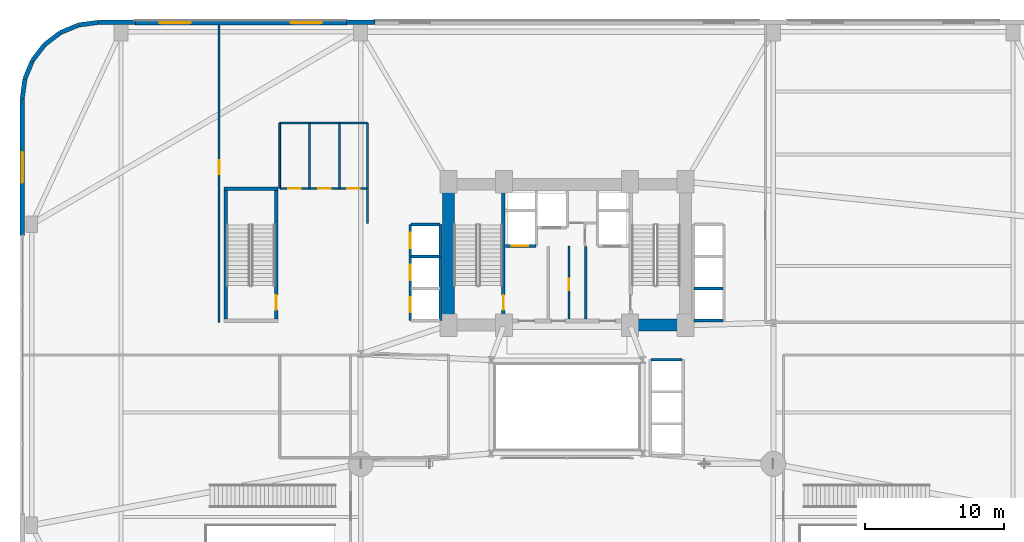
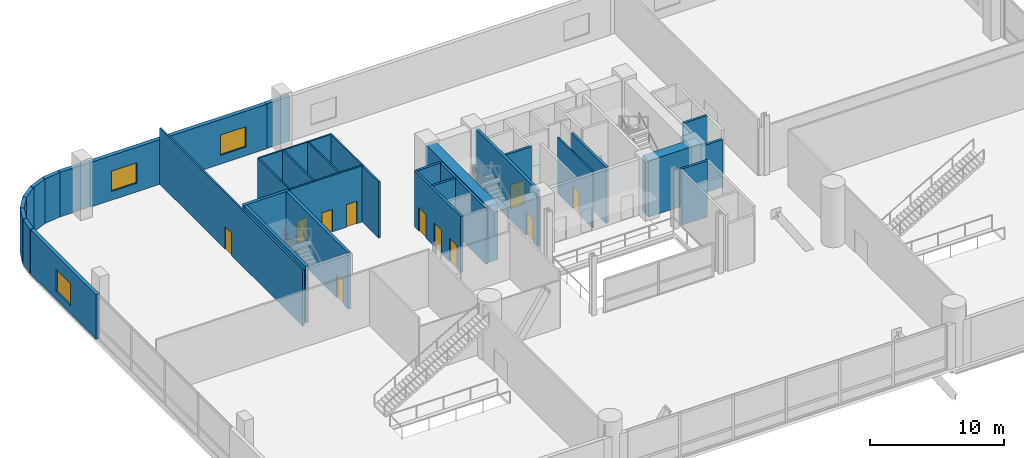
# One storey, part 31 of 40: 34 walls, 11 doors, 3 windows, 14 openings.
"""IFC4 building model written with IfcOpenShell, lengths in metres."""

import ifcopenshell
import ifcopenshell.guid

model = None  # the IFC model being written
_history = None  # IfcOwnerHistory: only IFC2X3 demands one
_inside = {}  # id of a spatial element -> (the spatial element, [elements in it])
_under = {}  # id of a project, library or spatial element -> (it, [spatial elements below it])
_declared = {}  # id of a project -> (the project, [libraries it declares])
_typed = {}  # id of a type object -> (the type object, [elements of that type])
_made_of = {}  # id of a material, layer set ... -> (it, [elements and type objects made of it])


def new_model(schema):
    """Start an empty IFC model of exactly this schema.

    Asked for "IFC4X3", IfcOpenShell would pick the latest addendum, in which some entities
    have other attributes; the version numbers below select the first issue.
    IFC2X3 requires an IfcOwnerHistory on every rooted entity: one is made here for all.
    """
    global model, _history
    if schema == "IFC4X3":
        model = ifcopenshell.file(schema_version=(4, 3, 0, 0))
    else:
        model = ifcopenshell.file(schema=schema)
    _inside.clear()
    _under.clear()
    _declared.clear()
    _typed.clear()
    _made_of.clear()
    _history = None
    if model.schema == "IFC2X3":
        org = make("IfcOrganization", Name="unknown")
        user = make(
            "IfcPersonAndOrganization",
            ThePerson=make("IfcPerson", FamilyName="unknown"),
            TheOrganization=org,
        )
        app = make(
            "IfcApplication",
            ApplicationDeveloper=org,
            Version="unknown",
            ApplicationFullName="unknown",
            ApplicationIdentifier="unknown",
        )
        _history = make(
            "IfcOwnerHistory",
            OwningUser=user,
            OwningApplication=app,
            ChangeAction="ADDED",
            CreationDate=0,
        )
    return model


def make(cls, **values):
    """One entity of the class cls with the attributes given. An attribute that is None is left unset."""
    return model.create_entity(
        cls, **{name: value for name, value in values.items() if value is not None}
    )


def rooted(cls, **values):
    """An entity with a GlobalId (a new one), such as an element, a storey or a relation."""
    return make(cls, GlobalId=ifcopenshell.guid.new(), OwnerHistory=_history, **values)


def si_unit(unit_type, name, prefix=None):
    """IfcSIUnit, for example si_unit("LENGTHUNIT", "METRE", prefix="MILLI")."""
    return make("IfcSIUnit", UnitType=unit_type, Prefix=prefix, Name=name)


def assignment(units):
    """IfcUnitAssignment: the units of a project."""
    return None if units is None else make("IfcUnitAssignment", Units=units)


def point(xyz):
    """IfcCartesianPoint."""
    return None if xyz is None else make("IfcCartesianPoint", Coordinates=xyz)


def direction(xyz):
    """IfcDirection."""
    return None if xyz is None else make("IfcDirection", DirectionRatios=xyz)


def frame(location, z_axis=None, x_axis=None):
    """IfcAxis2Placement3D, a coordinate frame: its origin and axes. An axis left out is left unset."""
    return make(
        "IfcAxis2Placement3D",
        Location=point(location),
        Axis=direction(z_axis),
        RefDirection=direction(x_axis),
    )


def frame_2d(location, x_axis=None):
    """IfcAxis2Placement2D, a coordinate frame in the plane: its origin and x axis."""
    return make(
        "IfcAxis2Placement2D", Location=point(location), RefDirection=direction(x_axis)
    )


def origin():
    """The frame at (0, 0, 0) with its axes left unset."""
    return frame((0.0, 0.0, 0.0))


def place(relative_to, where):
    """IfcLocalPlacement: puts the frame where relative to a parent placement (None: the world)."""
    return make(
        "IfcLocalPlacement", PlacementRelTo=relative_to, RelativePlacement=where
    )


def context(
    kind, dimensions, precision=None, world=None, true_north=None, identifier=None
):
    """IfcGeometricRepresentationContext, for example the 3D "Model" context."""
    return make(
        "IfcGeometricRepresentationContext",
        ContextIdentifier=identifier,
        ContextType=kind,
        CoordinateSpaceDimension=dimensions,
        Precision=precision,
        WorldCoordinateSystem=world,
        TrueNorth=true_north,
    )


def subcontext(parent, identifier, kind, view, scale=None):
    """IfcGeometricRepresentationSubContext, for example "Body" below "Model"."""
    return make(
        "IfcGeometricRepresentationSubContext",
        ContextIdentifier=identifier,
        ContextType=kind,
        ParentContext=parent,
        TargetScale=scale,
        TargetView=view,
    )


def project(units=None, contexts=None):
    """IfcProject with its units and contexts."""
    return rooted(
        "IfcProject",
        Name="project",
        RepresentationContexts=contexts,
        UnitsInContext=assignment(units),
    )


def spatial(cls, under=None, at=None, **own):
    """A site, building, storey or space (cls), placed at a placement, below another one or the project."""
    s = rooted(cls, ObjectPlacement=at, **own)
    if under is not None:
        _under.setdefault(under.id(), (under, []))[1].append(s)
    return s


def profile(cls, at=None, kind="AREA", **sizes):
    """A parametric profile (cls). Its sizes go by their IFC names, for example OverallWidth=200.0."""
    return make(cls, ProfileType=kind, Position=at, **sizes)


def rectangle(**sizes):
    """IfcRectangleProfileDef."""
    return profile("IfcRectangleProfileDef", **sizes)


def extrude(swept, where, along, depth):
    """IfcExtrudedAreaSolid: the profile swept, set in the frame where, extruded along a direction by depth."""
    return make(
        "IfcExtrudedAreaSolid",
        SweptArea=swept,
        Position=where,
        ExtrudedDirection=direction(along),
        Depth=depth,
    )


def shape(context_of_items, identifier, shape_type, items):
    """IfcShapeRepresentation: the items that make up one representation, for example the "Body"."""
    return make(
        "IfcShapeRepresentation",
        ContextOfItems=context_of_items,
        RepresentationIdentifier=identifier,
        RepresentationType=shape_type,
        Items=items,
    )


def material(Name=None, Category=None):
    """IfcMaterial."""
    return make("IfcMaterial", Name=Name, Category=Category)


def layer(
    of_material, thickness, ventilated=None, Name=None, Category=None, Priority=None
):
    """IfcMaterialLayer: one layer of a wall or slab, of a material (None: an air gap)."""
    return make(
        "IfcMaterialLayer",
        Material=of_material,
        LayerThickness=thickness,
        IsVentilated=ventilated,
        Name=Name,
        Category=Category,
        Priority=Priority,
    )


def layer_set(layers, Name=None):
    """IfcMaterialLayerSet."""
    return make("IfcMaterialLayerSet", MaterialLayers=layers, LayerSetName=Name)


def made_of(thing, what):
    """Note that an element or type object is made of a material, layer set ...; save() writes the relation."""
    if what is not None:
        _made_of.setdefault(what.id(), (what, []))[1].append(thing)
    return thing


def type_object(cls, material=None, **own):
    """A type object (cls), such as IfcWallType, which elements share."""
    return made_of(rooted(cls, **own), material)


def element(
    cls,
    number,
    at=None,
    inside=None,
    cuts=None,
    type_object=None,
    material=None,
    context=None,
    identifier="Body",
    shape_type=None,
    held_by="IfcProductDefinitionShape",
    body=None,
    shapes=None,
    **own,
):
    """One element of the class cls, such as IfcWall. Its Tag is "e" and its number.

    at: its placement. inside: the storey or other place that contains it. cuts: it is an
    opening in that element (IfcRelVoidsElement). A single representation is given by context,
    identifier, shape_type and body (its items); several are given by shapes. held_by: the class
    of the entity that holds the representations. save() writes the other relations.
    """
    e = rooted(cls, Tag="e%d" % number, ObjectPlacement=at, **own)
    if body is not None:
        shapes = [shape(context, identifier, shape_type, body)]
    if shapes is not None:
        e.Representation = make(held_by, Representations=shapes)
    if inside is not None:
        _inside.setdefault(inside.id(), (inside, []))[1].append(e)
    if cuts is not None:
        rooted(
            "IfcRelVoidsElement", RelatingBuildingElement=cuts, RelatedOpeningElement=e
        )
    if type_object is not None:
        _typed.setdefault(type_object.id(), (type_object, []))[1].append(e)
    return made_of(e, material)


def fill(opening, filler):
    """IfcRelFillsElement: the door or window that sits in an opening."""
    return rooted(
        "IfcRelFillsElement",
        RelatingOpeningElement=opening,
        RelatedBuildingElement=filler,
    )


def aggregate(whole, parts):
    """IfcRelAggregates: a whole, such as a stair, and the parts it consists of."""
    return rooted("IfcRelAggregates", RelatingObject=whole, RelatedObjects=parts)


def save(model, path):
    """Write the relations noted so far, then the file.

    IfcRelAggregates (storeys below a building ...), IfcRelContainedInSpatialStructure (elements
    in a storey), IfcRelDefinesByType, IfcRelAssociatesMaterial and IfcRelDeclares: one each for
    every whole, place, type object, material and project.
    """
    for whole, parts in _under.values():
        aggregate(whole, parts)
    for where, things in _inside.values():
        rooted(
            "IfcRelContainedInSpatialStructure",
            RelatedElements=things,
            RelatingStructure=where,
        )
    for kind, things in _typed.values():
        rooted("IfcRelDefinesByType", RelatedObjects=things, RelatingType=kind)
    for what, things in _made_of.values():
        rooted("IfcRelAssociatesMaterial", RelatedObjects=things, RelatingMaterial=what)
    for by, libraries in _declared.values():
        rooted("IfcRelDeclares", RelatingContext=by, RelatedDefinitions=libraries)
    model.write(path)


model = new_model("IFC4")

# Units and contexts
model_context = context("Model", 3, precision=1e-05, world=origin(), true_north=direction((0.0, 1.0)))
body_context = subcontext(model_context, "Body", "Model", "MODEL_VIEW")
ifc_project = project(units=[si_unit("LENGTHUNIT", "METRE"), si_unit("AREAUNIT", "SQUARE_METRE"), si_unit("VOLUMEUNIT", "CUBIC_METRE"), si_unit("PLANEANGLEUNIT", "RADIAN"), si_unit("MASSUNIT", "GRAM", prefix="KILO")], contexts=[model_context])

# Site, building, storey
site_placement = place(None, origin())
site = spatial("IfcSite", under=ifc_project, at=site_placement, CompositionType="ELEMENT")
building_placement = place(site_placement, origin())
building = spatial("IfcBuilding", under=site, at=building_placement, Name="Varnelok Gate Tower", CompositionType="ELEMENT")
storey_placement = place(building_placement, frame((0.0, 0.0, 5.39990234375)))
storey = spatial("IfcBuildingStorey", under=building, at=storey_placement, Name="L01", CompositionType="ELEMENT", Elevation=5.39990234375)

# Wall, openings, windows
ifc_material_1 = material(Name="Concrete C45/55", Category="concrete")
ifc_layer_1 = layer(ifc_material_1, 0.320068359375)
ifc_layer_set_1 = layer_set([ifc_layer_1], Name="Concrete C45/55")
wall_type_1 = type_object("IfcWallType", Name="EW-POD-320", PredefinedType="SOLIDWALL", material=ifc_layer_set_1)
wall_1_placement = place(storey_placement, frame((8.199951171875, 50.43994140625, 0.0), z_axis=(0.0, 0.0, 1.0), x_axis=(1.0, 0.0, 0.0)))
wall_1 = element("IfcWall", 1, at=wall_1_placement, inside=storey, type_object=wall_type_1, Name="L01 North Podium Wall 1", PredefinedType="SOLIDWALL", context=body_context, shape_type="SweptSolid", body=[
    extrude(rectangle(XDim=15.199951171875, YDim=0.320068359375, at=frame_2d((7.60009765625, 0.0))), origin(), (0.0, 0.0, 1.0), 4.070068359375),
])
opening_1_placement = place(wall_1_placement, frame((1.800048828125, 0.0, 0.800048828125)))
opening_1 = element("IfcOpeningElement", 2, at=opening_1_placement, cuts=wall_1, Name="Opening WN2", PredefinedType="OPENING", context=body_context, shape_type="SweptSolid", body=[
    extrude(rectangle(XDim=2.199951171875, YDim=1.85009765625, at=frame_2d((1.10009765625, 0.925048828125))), frame((0.0, 0.169921875, 0.0), z_axis=(0.0, -1.0, 0.0), x_axis=(1.0, 0.0, 0.0)), (0.0, 0.0, 1.0), 0.340087890625),
])
opening_2_placement = place(wall_1_placement, frame((11.199951171875, 0.0, 0.800048828125)))
opening_2 = element("IfcOpeningElement", 3, at=opening_2_placement, cuts=wall_1, Name="Opening WN2", PredefinedType="OPENING", context=body_context, shape_type="SweptSolid", body=[
    extrude(rectangle(XDim=2.199951171875, YDim=1.85009765625, at=frame_2d((1.10009765625, 0.925048828125))), frame((0.0, 0.169921875, 0.0), z_axis=(0.0, -1.0, 0.0), x_axis=(1.0, 0.0, 0.0)), (0.0, 0.0, 1.0), 0.340087890625),
])
ifc_material_2 = material(Name="Low-E Laminated Double Glazing IGU", Category="glass")
window_type_1 = type_object("IfcWindowType", Name="WN-POD-2200", PartitioningType="SINGLE_PANEL", PredefinedType="WINDOW", material=ifc_material_2)
window_1_placement = place(opening_1_placement, origin())
window_1 = element("IfcWindow", 4, at=window_1_placement, inside=storey, type_object=window_type_1, Name="L01 Podium Window N1.1", OverallHeight=1.85009765625, OverallWidth=2.199951171875, PartitioningType="SINGLE_PANEL", PredefinedType="WINDOW", context=body_context, shape_type="SweptSolid", body=[
    extrude(rectangle(XDim=2.199951171875, YDim=1.85009765625, at=frame_2d((1.10009765625, 0.925048828125))), frame((0.0, 0.030029296875, 0.0), z_axis=(0.0, -1.0, 0.0), x_axis=(1.0, 0.0, 0.0)), (0.0, 0.0, 1.0), 0.06005859375),
])
fill(opening_1, window_1)
window_2_placement = place(opening_2_placement, origin())
window_2 = element("IfcWindow", 5, at=window_2_placement, inside=storey, type_object=window_type_1, Name="L01 Podium Window N1.2", OverallHeight=1.85009765625, OverallWidth=2.199951171875, PartitioningType="SINGLE_PANEL", PredefinedType="WINDOW", context=body_context, shape_type="SweptSolid", body=[
    extrude(rectangle(XDim=2.199951171875, YDim=1.85009765625, at=frame_2d((1.10009765625, 0.925048828125))), frame((0.0, 0.030029296875, 0.0), z_axis=(0.0, -1.0, 0.0), x_axis=(1.0, 0.0, 0.0)), (0.0, 0.0, 1.0), 0.06005859375),
])
fill(opening_2, window_2)

# Walls
wall_2_placement = place(storey_placement, frame((25.429931640625, 50.47998046875, 0.0), z_axis=(0.0, 0.0, 1.0), x_axis=(-1.0, 0.0, 0.0)))
element("IfcWall", 6, at=wall_2_placement, inside=storey, type_object=wall_type_1, Name="L01 Perimeter Facade Closure Wall 27", PredefinedType="SOLIDWALL", context=body_context, shape_type="SweptSolid", body=[
    extrude(rectangle(XDim=2.059814453125, YDim=0.320068359375, at=frame_2d((1.02978515625, 0.0))), origin(), (0.0, 0.0, 1.0), 4.070068359375),
])
wall_3_placement = place(storey_placement, frame((8.22998046875, 50.47998046875, 0.0), z_axis=(0.0, 0.0, 1.0), x_axis=(-1.0, 0.0, 0.0)))
element("IfcWall", 7, at=wall_3_placement, inside=storey, type_object=wall_type_1, Name="L01 Perimeter Facade Closure Wall 28", PredefinedType="SOLIDWALL", context=body_context, shape_type="SweptSolid", body=[
    extrude(rectangle(XDim=2.6220703125, YDim=0.320068359375, at=frame_2d((1.31103515625, 0.0))), origin(), (0.0, 0.0, 1.0), 4.070068359375),
])
wall_4_placement = place(storey_placement, frame((5.5830078125, 50.476806640625, 0.0), z_axis=(0.0, 0.0, 1.0), x_axis=(-0.991434880626, -0.130601981138, 0.0)))
element("IfcWall", 8, at=wall_4_placement, inside=storey, type_object=wall_type_1, Name="L01 Perimeter Facade Closure Wall 29", PredefinedType="SOLIDWALL", context=body_context, shape_type="SweptSolid", body=[
    extrude(rectangle(XDim=1.413330078125, YDim=0.320068359375, at=frame_2d((0.70654296875, 0.0))), origin(), (0.0, 0.0, 1.0), 4.070068359375),
])
wall_5_placement = place(storey_placement, frame((4.15869140625, 50.28271484375, 0.0), z_axis=(0.0, 0.0, 1.0), x_axis=(-0.923841042178, -0.382776343035, 0.0)))
element("IfcWall", 9, at=wall_5_placement, inside=storey, type_object=wall_type_1, Name="L01 Perimeter Facade Closure Wall 30", PredefinedType="SOLIDWALL", context=body_context, shape_type="SweptSolid", body=[
    extrude(rectangle(XDim=1.405029296875, YDim=0.320068359375, at=frame_2d((0.70263671875, 0.0))), origin(), (0.0, 0.0, 1.0), 4.070068359375),
])
wall_6_placement = place(storey_placement, frame((2.8408203125, 49.729736328125, 0.0), z_axis=(0.0, 0.0, 1.0), x_axis=(-0.79338541907, -0.60871962085, 0.0)))
element("IfcWall", 10, at=wall_6_placement, inside=storey, type_object=wall_type_1, Name="L01 Perimeter Facade Closure Wall 31", PredefinedType="SOLIDWALL", context=body_context, shape_type="SweptSolid", body=[
    extrude(rectangle(XDim=1.4052734375, YDim=0.320068359375, at=frame_2d((0.70263671875, 0.0))), origin(), (0.0, 0.0, 1.0), 4.070068359375),
])
wall_7_placement = place(storey_placement, frame((1.710693359375, 48.8544921875, 0.0), z_axis=(0.0, 0.0, 1.0), x_axis=(-0.608828954222, -0.793301521807, 0.0)))
element("IfcWall", 11, at=wall_7_placement, inside=storey, type_object=wall_type_1, Name="L01 Perimeter Facade Closure Wall 32", PredefinedType="SOLIDWALL", context=body_context, shape_type="SweptSolid", body=[
    extrude(rectangle(XDim=1.405517578125, YDim=0.320068359375, at=frame_2d((0.70263671875, 0.0))), origin(), (0.0, 0.0, 1.0), 4.070068359375),
])
wall_8_placement = place(storey_placement, frame((0.845703125, 47.71630859375, 0.0), z_axis=(0.0, 0.0, 1.0), x_axis=(-0.382924622758, -0.923779591291, 0.0)))
element("IfcWall", 12, at=wall_8_placement, inside=storey, type_object=wall_type_1, Name="L01 Perimeter Facade Closure Wall 33", PredefinedType="SOLIDWALL", context=body_context, shape_type="SweptSolid", body=[
    extrude(rectangle(XDim=1.4052734375, YDim=0.320068359375, at=frame_2d((0.70263671875, 0.0))), origin(), (0.0, 0.0, 1.0), 4.070068359375),
])
wall_9_placement = place(storey_placement, frame((0.304443359375, 46.393310546875, 0.0), z_axis=(0.0, 0.0, 1.0), x_axis=(-0.130432168094, -0.991457235349, 0.0)))
element("IfcWall", 13, at=wall_9_placement, inside=storey, type_object=wall_type_1, Name="L01 Perimeter Facade Closure Wall 34", PredefinedType="SOLIDWALL", context=body_context, shape_type="SweptSolid", body=[
    extrude(rectangle(XDim=1.4130859375, YDim=0.320068359375, at=frame_2d((0.70654296875, 0.0))), origin(), (0.0, 0.0, 1.0), 4.070068359375),
])

# Wall, opening, window
wall_10_placement = place(storey_placement, frame((0.1201171875, 44.967041015625, 0.0), z_axis=(0.0, 0.0, 1.0), x_axis=(0.0, -1.0, 0.0)))
wall_10 = element("IfcWall", 14, at=wall_10_placement, inside=storey, type_object=wall_type_1, Name="L01 Perimeter Facade Closure Wall 35", PredefinedType="SOLIDWALL", context=body_context, shape_type="SweptSolid", body=[
    extrude(rectangle(XDim=9.797119140625, YDim=0.320068359375, at=frame_2d((4.8984375, 0.0))), origin(), (0.0, 0.0, 1.0), 4.070068359375),
])
opening_3_placement = place(wall_10_placement, frame((3.798583984375, 0.0, 0.800048828125)))
opening_3 = element("IfcOpeningElement", 15, at=opening_3_placement, cuts=wall_10, Name="Opening WN2A", PredefinedType="OPENING", context=body_context, shape_type="SweptSolid", body=[
    extrude(rectangle(XDim=2.199951171875, YDim=2.0, at=frame_2d((1.10009765625, 1.0))), frame((0.0, 0.169921875, 0.0), z_axis=(0.0, -1.0, 0.0), x_axis=(1.0, 0.0, 0.0)), (0.0, 0.0, 1.0), 0.340087890625),
])
window_type_2 = type_object("IfcWindowType", Name="WN-POD-2200X2000", PartitioningType="SINGLE_PANEL", PredefinedType="WINDOW", material=ifc_material_2)
window_3_placement = place(opening_3_placement, origin())
window_3 = element("IfcWindow", 16, at=window_3_placement, inside=storey, type_object=window_type_2, Name="L01 Perimeter Vision Window 35", OverallHeight=2.0, OverallWidth=2.199951171875, PartitioningType="SINGLE_PANEL", PredefinedType="WINDOW", context=body_context, shape_type="SweptSolid", body=[
    extrude(rectangle(XDim=2.199951171875, YDim=2.0, at=frame_2d((1.10009765625, 1.0))), frame((0.0, 0.030029296875, 0.0), z_axis=(0.0, -1.0, 0.0), x_axis=(1.0, 0.0, 0.0)), (0.0, 0.0, 1.0), 0.06005859375),
])
fill(opening_3, window_3)

# Walls
ifc_material_3 = material(Name="Gypsum Plasterboard Acoustic Partition", Category="gypsum")
ifc_layer_2 = layer(ifc_material_3, 0.125)
ifc_layer_set_2 = layer_set([ifc_layer_2], Name="Gypsum Plasterboard Acoustic Partition")
wall_type_2 = type_object("IfcWallType", Name="PW-PART-125", PredefinedType="PARTITIONING", material=ifc_layer_set_2)
for number, where, z_axis, x_axis, name in (
    (17, (18.60009765625, 38.56005859375, 0.0), (0.0, 0.0, 1.0), (0.0, 1.0, 0.0), "Interior Partition"),
    (18, (20.719970703125, 38.56005859375, 0.0), (0.0, 0.0, 1.0), (0.0, 1.0, 0.0), "Interior Partition"),
    (19, (22.8798828125, 38.56005859375, 0.0), (0.0, 0.0, 1.0), (0.0, 1.0, 0.0), "Interior Partition"),
    (20, (24.8798828125, 38.56005859375, 0.0), (0.0, 0.0, 1.0), (0.0, 1.0, 0.0), "Interior Partition"),
):
    element("IfcWall", number, at=place(storey_placement, frame(where, z_axis=z_axis, x_axis=x_axis)), inside=storey, type_object=wall_type_2, Name=name, PredefinedType="PARTITIONING", context=body_context, shape_type="SweptSolid", body=[
        extrude(rectangle(XDim=4.68994140625, YDim=0.125, at=frame_2d((2.344970703125, 0.0))), origin(), (0.0, 0.0, 1.0), 5.1201171875),
    ])
wall_11_placement = place(storey_placement, frame((18.60009765625, 43.25, 0.0), z_axis=(0.0, 0.0, 1.0), x_axis=(1.0, 0.0, 0.0)))
element("IfcWall", 21, at=wall_11_placement, inside=storey, type_object=wall_type_2, Name="Interior Partition", PredefinedType="PARTITIONING", context=body_context, shape_type="SweptSolid", body=[
    extrude(rectangle(XDim=6.27978515625, YDim=0.125, at=frame_2d((3.139892578125, 0.0))), origin(), (0.0, 0.0, 1.0), 5.1201171875),
])

# Wall, opening, door
wall_12_placement = place(storey_placement, frame((39.35009765625, 29.199951171875, 0.0), z_axis=(0.0, 0.0, 1.0), x_axis=(0.0, 1.0, 0.0)))
wall_12 = element("IfcWall", 22, at=wall_12_placement, inside=storey, type_object=wall_type_2, Name="Interior Partition", PredefinedType="PARTITIONING", context=body_context, shape_type="SweptSolid", body=[
    extrude(rectangle(XDim=5.219970703125, YDim=0.125, at=frame_2d((2.60986328125, 0.0))), origin(), (0.0, 0.0, 1.0), 5.1201171875),
])
opening_4_placement = place(wall_12_placement, frame((2.050048828125, 0.0, 0.0)))
opening_4 = element("IfcOpeningElement", 23, at=opening_4_placement, cuts=wall_12, Name="Opening D-RS", PredefinedType="OPENING", context=body_context, shape_type="SweptSolid", body=[
    extrude(rectangle(XDim=0.85009765625, YDim=2.050048828125, at=frame_2d((0.425048828125, 1.02490234375))), frame((0.0, 0.072509765625, 0.0), z_axis=(0.0, -1.0, 0.0), x_axis=(1.0, 0.0, 0.0)), (0.0, 0.0, 1.0), 0.14501953125),
])
ifc_material_4 = material(Name="Galvanized Steel Grade S350GD", Category="steel")
door_type_1 = type_object("IfcDoorType", Name="DR-RISER-850", OperationType="NOTDEFINED", PredefinedType="DOOR", material=ifc_material_4)
door_1_placement = place(opening_4_placement, origin())
door_1 = element("IfcDoor", 24, at=door_1_placement, inside=storey, type_object=door_type_1, Name="L01 Housekeeping Linen Door", OperationType="SINGLE_SWING_RIGHT", OverallHeight=2.050048828125, OverallWidth=0.85009765625, PredefinedType="DOOR", context=body_context, shape_type="SweptSolid", body=[
    extrude(rectangle(XDim=0.85009765625, YDim=2.050048828125, at=frame_2d((0.425048828125, 1.02490234375))), frame((0.0, 0.02490234375, 0.0), z_axis=(0.0, -1.0, 0.0), x_axis=(1.0, 0.0, 0.0)), (0.0, 0.0, 1.0), 0.050048828125),
])
fill(opening_4, door_1)

# Wall
ifc_layer_3 = layer(ifc_material_3, 0.14990234375)
ifc_layer_set_3 = layer_set([ifc_layer_3], Name="Gypsum Plasterboard Acoustic Partition")
wall_type_3 = type_object("IfcWallType", Name="PW-PART-150", PredefinedType="PARTITIONING", material=ifc_layer_set_3)
wall_13_placement = place(storey_placement, frame((24.8798828125, 36.050048828125, 0.0), z_axis=(0.0, 0.0, 1.0), x_axis=(0.0, 1.0, 0.0)))
element("IfcWall", 25, at=wall_13_placement, inside=storey, type_object=wall_type_3, Name="Interior Partition", PredefinedType="PARTITIONING", context=body_context, shape_type="SweptSolid", body=[
    extrude(rectangle(XDim=2.510009765625, YDim=0.14990234375, at=frame_2d((1.2548828125, 0.0))), origin(), (0.0, 0.0, 1.0), 5.1201171875),
])

# Wall, openings, doors
wall_14_placement = place(storey_placement, frame((18.60009765625, 38.56005859375, 0.0), z_axis=(0.0, 0.0, 1.0), x_axis=(1.0, 0.0, 0.0)))
wall_14 = element("IfcWall", 26, at=wall_14_placement, inside=storey, type_object=wall_type_3, Name="Interior Partition", PredefinedType="PARTITIONING", context=body_context, shape_type="SweptSolid", body=[
    extrude(rectangle(XDim=6.27978515625, YDim=0.14990234375, at=frame_2d((3.139892578125, 0.0))), origin(), (0.0, 0.0, 1.0), 5.1201171875),
])
opening_5_placement = place(wall_14_placement, frame((0.613525390625, 0.0, 0.0)))
opening_5 = element("IfcOpeningElement", 27, at=opening_5_placement, cuts=wall_14, Name="Opening D-WC", PredefinedType="OPENING", context=body_context, shape_type="SweptSolid", body=[
    extrude(rectangle(XDim=0.89990234375, YDim=2.050048828125, at=frame_2d((0.449951171875, 1.02490234375))), frame((0.0, 0.0849609375, 0.0), z_axis=(0.0, -1.0, 0.0), x_axis=(1.0, 0.0, 0.0)), (0.0, 0.0, 1.0), 0.169921875),
])
opening_6_placement = place(wall_14_placement, frame((2.75, 0.0, 0.0)))
opening_6 = element("IfcOpeningElement", 28, at=opening_6_placement, cuts=wall_14, Name="Opening D-WC", PredefinedType="OPENING", context=body_context, shape_type="SweptSolid", body=[
    extrude(rectangle(XDim=0.89990234375, YDim=2.050048828125, at=frame_2d((0.449951171875, 1.02490234375))), frame((0.0, 0.0849609375, 0.0), z_axis=(0.0, -1.0, 0.0), x_axis=(1.0, 0.0, 0.0)), (0.0, 0.0, 1.0), 0.169921875),
])
opening_7_placement = place(wall_14_placement, frame((4.83642578125, 0.0, 0.0)))
opening_7 = element("IfcOpeningElement", 29, at=opening_7_placement, cuts=wall_14, Name="Opening D-WC", PredefinedType="OPENING", context=body_context, shape_type="SweptSolid", body=[
    extrude(rectangle(XDim=0.89990234375, YDim=2.050048828125, at=frame_2d((0.449951171875, 1.02490234375))), frame((0.0, 0.0849609375, 0.0), z_axis=(0.0, -1.0, 0.0), x_axis=(1.0, 0.0, 0.0)), (0.0, 0.0, 1.0), 0.169921875),
])
ifc_material_5 = material(Name="Engineered Hardwood Timber", Category="wood")
door_type_2 = type_object("IfcDoorType", Name="DR-BATH-900", OperationType="NOTDEFINED", PredefinedType="DOOR", material=ifc_material_5)
door_2_placement = place(opening_5_placement, origin())
door_2 = element("IfcDoor", 30, at=door_2_placement, inside=storey, type_object=door_type_2, Name="L01 Male WC Door", OperationType="SINGLE_SWING_LEFT", OverallHeight=2.050048828125, OverallWidth=0.89990234375, PredefinedType="DOOR", context=body_context, shape_type="SweptSolid", body=[
    extrude(rectangle(XDim=0.89990234375, YDim=2.050048828125, at=frame_2d((0.449951171875, 1.02490234375))), frame((0.0, 0.02490234375, 0.0), z_axis=(0.0, -1.0, 0.0), x_axis=(1.0, 0.0, 0.0)), (0.0, 0.0, 1.0), 0.050048828125),
])
fill(opening_5, door_2)
door_3_placement = place(opening_6_placement, origin())
door_3 = element("IfcDoor", 31, at=door_3_placement, inside=storey, type_object=door_type_2, Name="L01 Female WC Door", OperationType="SINGLE_SWING_RIGHT", OverallHeight=2.050048828125, OverallWidth=0.89990234375, PredefinedType="DOOR", context=body_context, shape_type="SweptSolid", body=[
    extrude(rectangle(XDim=0.89990234375, YDim=2.050048828125, at=frame_2d((0.449951171875, 1.02490234375))), frame((0.0, 0.02490234375, 0.0), z_axis=(0.0, -1.0, 0.0), x_axis=(1.0, 0.0, 0.0)), (0.0, 0.0, 1.0), 0.050048828125),
])
fill(opening_6, door_3)
door_4_placement = place(opening_7_placement, origin())
door_4 = element("IfcDoor", 32, at=door_4_placement, inside=storey, type_object=door_type_2, Name="L01 Accessible WC Door", OperationType="SINGLE_SWING_LEFT", OverallHeight=2.050048828125, OverallWidth=0.89990234375, PredefinedType="DOOR", context=body_context, shape_type="SweptSolid", body=[
    extrude(rectangle(XDim=0.89990234375, YDim=2.050048828125, at=frame_2d((0.449951171875, 1.02490234375))), frame((0.0, 0.02490234375, 0.0), z_axis=(0.0, -1.0, 0.0), x_axis=(1.0, 0.0, 0.0)), (0.0, 0.0, 1.0), 0.050048828125),
])
fill(opening_7, door_4)

# Wall, opening, door
wall_15_placement = place(storey_placement, frame((14.25, 28.9599609375, 0.0), z_axis=(0.0, 0.0, 1.0), x_axis=(0.0, 1.0, 0.0)))
wall_15 = element("IfcWall", 33, at=wall_15_placement, inside=storey, type_object=wall_type_3, Name="Interior Partition", PredefinedType="PARTITIONING", context=body_context, shape_type="SweptSolid", body=[
    extrude(rectangle(XDim=21.340087890625, YDim=0.14990234375, at=frame_2d((10.669921875, 0.0))), origin(), (0.0, 0.0, 1.0), 5.1201171875),
])
opening_8_placement = place(wall_15_placement, frame((10.6201171875, 0.0, 0.0)))
opening_8 = element("IfcOpeningElement", 34, at=opening_8_placement, cuts=wall_15, Name="Opening D-I1", PredefinedType="OPENING", context=body_context, shape_type="SweptSolid", body=[
    extrude(rectangle(XDim=1.0, YDim=2.050048828125, at=frame_2d((0.5, 1.02490234375))), frame((0.0, 0.0849609375, 0.0), z_axis=(0.0, -1.0, 0.0), x_axis=(1.0, 0.0, 0.0)), (0.0, 0.0, 1.0), 0.169921875),
])
door_type_3 = type_object("IfcDoorType", Name="DR-INT-1000", OperationType="NOTDEFINED", PredefinedType="DOOR", material=ifc_material_5)
door_5_placement = place(opening_8_placement, origin())
door_5 = element("IfcDoor", 35, at=door_5_placement, inside=storey, type_object=door_type_3, Name="L01 North Retail Door", OperationType="SINGLE_SWING_RIGHT", OverallHeight=2.050048828125, OverallWidth=1.0, PredefinedType="DOOR", context=body_context, shape_type="SweptSolid", body=[
    extrude(rectangle(XDim=1.0, YDim=2.050048828125, at=frame_2d((0.5, 1.02490234375))), frame((0.0, 0.02490234375, 0.0), z_axis=(0.0, -1.0, 0.0), x_axis=(1.0, 0.0, 0.0)), (0.0, 0.0, 1.0), 0.050048828125),
])
fill(opening_8, door_5)

# Wall
ifc_material_6 = material(Name="Concrete C35/45", Category="concrete")
ifc_layer_4 = layer(ifc_material_6, 0.199951171875)
ifc_layer_set_4 = layer_set([ifc_layer_4], Name="Concrete C35/45")
wall_type_4 = type_object("IfcWallType", Name="PW-SHAFT-200", PredefinedType="PARTITIONING", material=ifc_layer_set_4)
wall_16_placement = place(storey_placement, frame((40.5400390625, 29.199951171875, 0.0), z_axis=(0.0, 0.0, 1.0), x_axis=(0.0, 1.0, 0.0)))
element("IfcWall", 36, at=wall_16_placement, inside=storey, type_object=wall_type_4, Name="L01 East FF Lobby Rated Wall", PredefinedType="PARTITIONING", context=body_context, shape_type="SweptSolid", body=[
    extrude(rectangle(XDim=5.179931640625, YDim=0.199951171875, at=frame_2d((2.58984375, 0.0))), origin(), (0.0, 0.0, 1.0), 5.1201171875),
])

# Wall, opening, door
wall_17_placement = place(storey_placement, frame((34.800048828125, 34.43994140625, 0.0), z_axis=(0.0, 0.0, 1.0), x_axis=(1.0, 0.0, 0.0)))
wall_17 = element("IfcWall", 37, at=wall_17_placement, inside=storey, type_object=wall_type_4, Name="L01 FF1 Shaft Front Wall", PredefinedType="PARTITIONING", context=body_context, shape_type="SweptSolid", body=[
    extrude(rectangle(XDim=2.179931640625, YDim=0.199951171875, at=frame_2d((1.08984375, 0.0))), origin(), (0.0, 0.0, 1.0), 5.1201171875),
])
opening_9_placement = place(wall_17_placement, frame((0.419921875, 0.0, 0.0)))
opening_9 = element("IfcOpeningElement", 38, at=opening_9_placement, cuts=wall_17, Name="Opening LD-FF1", PredefinedType="OPENING", context=body_context, shape_type="SweptSolid", body=[
    extrude(rectangle(XDim=1.199951171875, YDim=2.199951171875, at=frame_2d((0.60009765625, 1.10009765625))), frame((0.0, 0.10986328125, 0.0), z_axis=(0.0, -1.0, 0.0), x_axis=(1.0, 0.0, 0.0)), (0.0, 0.0, 1.0), 0.219970703125),
])
door_type_4 = type_object("IfcDoorType", Name="DR-LIFT-FF1200", OperationType="SLIDING_TO_LEFT", PredefinedType="DOOR", material=ifc_material_4)
door_6_placement = place(opening_9_placement, origin())
door_6 = element("IfcDoor", 39, at=door_6_placement, inside=storey, type_object=door_type_4, Name="L01 Firefighting Lift Landing Door LD-FF1", OperationType="SLIDING_TO_LEFT", OverallHeight=2.199951171875, OverallWidth=1.199951171875, PredefinedType="DOOR", context=body_context, shape_type="SweptSolid", body=[
    extrude(rectangle(XDim=1.199951171875, YDim=2.199951171875, at=frame_2d((0.60009765625, 1.10009765625))), frame((0.0, 0.02490234375, 0.0), z_axis=(0.0, -1.0, 0.0), x_axis=(1.0, 0.0, 0.0)), (0.0, 0.0, 1.0), 0.050048828125),
])
fill(opening_9, door_6)

# Walls
wall_18_placement = place(storey_placement, frame((28.02001953125, 33.675048828125, 0.0), z_axis=(0.0, 0.0, 1.0), x_axis=(1.0, 0.0, 0.0)))
element("IfcWall", 40, at=wall_18_placement, inside=storey, type_object=wall_type_4, Name="L01 PL2 Divider", PredefinedType="PARTITIONING", context=body_context, shape_type="SweptSolid", body=[
    extrude(rectangle(XDim=2.06005859375, YDim=0.199951171875, at=frame_2d((1.030029296875, 0.0))), origin(), (0.0, 0.0, 1.0), 5.1201171875),
])
wall_19_placement = place(storey_placement, frame((28.0, 35.969970703125, 0.0), z_axis=(0.0, 0.0, 1.0), x_axis=(1.0, 0.0, 0.0)))
element("IfcWall", 41, at=wall_19_placement, inside=storey, type_object=wall_type_4, Name="L01 PL Bank North Wall", PredefinedType="PARTITIONING", context=body_context, shape_type="SweptSolid", body=[
    extrude(rectangle(XDim=2.10009765625, YDim=0.199951171875, at=frame_2d((1.050048828125, 0.0))), origin(), (0.0, 0.0, 1.0), 5.1201171875),
])
wall_20_placement = place(storey_placement, frame((30.1201171875, 29.080078125, 0.0), z_axis=(0.0, 0.0, 1.0), x_axis=(0.0, 1.0, 0.0)))
element("IfcWall", 42, at=wall_20_placement, inside=storey, type_object=wall_type_4, Name="L01 PL Bank Back Wall", PredefinedType="PARTITIONING", context=body_context, shape_type="SweptSolid", body=[
    extrude(rectangle(XDim=6.889892578125, YDim=0.199951171875, at=frame_2d((3.44482421875, 0.0))), origin(), (0.0, 0.0, 1.0), 5.1201171875),
])

# Wall, openings, doors
wall_21_placement = place(storey_placement, frame((27.9599609375, 29.080078125, 0.0), z_axis=(0.0, 0.0, 1.0), x_axis=(0.0, 1.0, 0.0)))
wall_21 = element("IfcWall", 43, at=wall_21_placement, inside=storey, type_object=wall_type_4, Name="L01 PL Bank Front Wall", PredefinedType="PARTITIONING", context=body_context, shape_type="SweptSolid", body=[
    extrude(rectangle(XDim=6.889892578125, YDim=0.199951171875, at=frame_2d((3.44482421875, 0.0))), origin(), (0.0, 0.0, 1.0), 5.1201171875),
])
opening_10_placement = place(wall_21_placement, frame((0.590087890625, 0.0, 0.0)))
opening_10 = element("IfcOpeningElement", 44, at=opening_10_placement, cuts=wall_21, Name="Opening LD-PL1", PredefinedType="OPENING", context=body_context, shape_type="SweptSolid", body=[
    extrude(rectangle(XDim=1.10009765625, YDim=2.14990234375, at=frame_2d((0.550048828125, 1.074951171875))), frame((0.0, 0.10986328125, 0.0), z_axis=(0.0, -1.0, 0.0), x_axis=(1.0, 0.0, 0.0)), (0.0, 0.0, 1.0), 0.219970703125),
])
opening_11_placement = place(wall_21_placement, frame((2.889892578125, 0.0, 0.0)))
opening_11 = element("IfcOpeningElement", 45, at=opening_11_placement, cuts=wall_21, Name="Opening LD-PL2", PredefinedType="OPENING", context=body_context, shape_type="SweptSolid", body=[
    extrude(rectangle(XDim=1.10009765625, YDim=2.14990234375, at=frame_2d((0.550048828125, 1.074951171875))), frame((0.0, 0.10986328125, 0.0), z_axis=(0.0, -1.0, 0.0), x_axis=(1.0, 0.0, 0.0)), (0.0, 0.0, 1.0), 0.219970703125),
])
opening_12_placement = place(wall_21_placement, frame((5.18994140625, 0.0, 0.0)))
opening_12 = element("IfcOpeningElement", 46, at=opening_12_placement, cuts=wall_21, Name="Opening LD-PL3", PredefinedType="OPENING", context=body_context, shape_type="SweptSolid", body=[
    extrude(rectangle(XDim=1.10009765625, YDim=2.14990234375, at=frame_2d((0.550048828125, 1.074951171875))), frame((0.0, 0.10986328125, 0.0), z_axis=(0.0, -1.0, 0.0), x_axis=(1.0, 0.0, 0.0)), (0.0, 0.0, 1.0), 0.219970703125),
])
door_type_5 = type_object("IfcDoorType", Name="DR-LIFT-PAX1100", OperationType="SLIDING_TO_LEFT", PredefinedType="DOOR", material=ifc_material_4)
door_7_placement = place(opening_10_placement, origin())
door_7 = element("IfcDoor", 47, at=door_7_placement, inside=storey, type_object=door_type_5, Name="L01 Passenger Lift Landing Door LD-PL1", OperationType="SLIDING_TO_LEFT", OverallHeight=2.14990234375, OverallWidth=1.10009765625, PredefinedType="DOOR", context=body_context, shape_type="SweptSolid", body=[
    extrude(rectangle(XDim=1.10009765625, YDim=2.14990234375, at=frame_2d((0.550048828125, 1.074951171875))), frame((0.0, 0.02490234375, 0.0), z_axis=(0.0, -1.0, 0.0), x_axis=(1.0, 0.0, 0.0)), (0.0, 0.0, 1.0), 0.050048828125),
])
fill(opening_10, door_7)
door_8_placement = place(opening_11_placement, origin())
door_8 = element("IfcDoor", 48, at=door_8_placement, inside=storey, type_object=door_type_5, Name="L01 Passenger Lift Landing Door LD-PL2", OperationType="SLIDING_TO_LEFT", OverallHeight=2.14990234375, OverallWidth=1.10009765625, PredefinedType="DOOR", context=body_context, shape_type="SweptSolid", body=[
    extrude(rectangle(XDim=1.10009765625, YDim=2.14990234375, at=frame_2d((0.550048828125, 1.074951171875))), frame((0.0, 0.02490234375, 0.0), z_axis=(0.0, -1.0, 0.0), x_axis=(1.0, 0.0, 0.0)), (0.0, 0.0, 1.0), 0.050048828125),
])
fill(opening_11, door_8)
door_9_placement = place(opening_12_placement, origin())
door_9 = element("IfcDoor", 49, at=door_9_placement, inside=storey, type_object=door_type_5, Name="L01 Passenger Lift Landing Door LD-PL3", OperationType="SLIDING_TO_LEFT", OverallHeight=2.14990234375, OverallWidth=1.10009765625, PredefinedType="DOOR", context=body_context, shape_type="SweptSolid", body=[
    extrude(rectangle(XDim=1.10009765625, YDim=2.14990234375, at=frame_2d((0.550048828125, 1.074951171875))), frame((0.0, 0.02490234375, 0.0), z_axis=(0.0, -1.0, 0.0), x_axis=(1.0, 0.0, 0.0)), (0.0, 0.0, 1.0), 0.050048828125),
])
fill(opening_12, door_9)

# Walls
wall_22_placement = place(storey_placement, frame((48.320068359375, 31.375, 0.0), z_axis=(0.0, 0.0, 1.0), x_axis=(1.0, 0.0, 0.0)))
element("IfcWall", 50, at=wall_22_placement, inside=storey, type_object=wall_type_4, Name="L01 PM1 Divider", PredefinedType="PARTITIONING", context=body_context, shape_type="SweptSolid", body=[
    extrude(rectangle(XDim=2.059814453125, YDim=0.199951171875, at=frame_2d((1.02978515625, 0.0))), origin(), (0.0, 0.0, 1.0), 5.1201171875),
])
wall_23_placement = place(storey_placement, frame((48.320068359375, 29.080078125, 0.0), z_axis=(0.0, 0.0, 1.0), x_axis=(1.0, 0.0, 0.0)))
element("IfcWall", 51, at=wall_23_placement, inside=storey, type_object=wall_type_4, Name="L01 PM Bank South Wall", PredefinedType="PARTITIONING", context=body_context, shape_type="SweptSolid", body=[
    extrude(rectangle(XDim=2.059814453125, YDim=0.199951171875, at=frame_2d((1.02978515625, 0.0))), origin(), (0.0, 0.0, 1.0), 4.33203125),
])
wall_24_placement = place(storey_placement, frame((45.239990234375, 26.280029296875, 0.0), z_axis=(0.0, 0.0, 1.0), x_axis=(1.0, 0.0, 0.0)))
element("IfcWall", 52, at=wall_24_placement, inside=storey, type_object=wall_type_4, Name="L01 PH Bank North Wall", PredefinedType="PARTITIONING", context=body_context, shape_type="SweptSolid", body=[
    extrude(rectangle(XDim=2.219970703125, YDim=0.199951171875, at=frame_2d((1.10986328125, 0.0))), origin(), (0.0, 0.0, 1.0), 5.1201171875),
])
ifc_material_7 = material(Name="Concrete C70/85", Category="concrete")
ifc_layer_5 = layer(ifc_material_7, 0.85009765625)
ifc_layer_set_5 = layer_set([ifc_layer_5], Name="Concrete C70/85")
wall_type_5 = type_object("IfcWallType", Name="SW-CORE-850", PredefinedType="SHEAR", material=ifc_layer_set_5)
wall_25_placement = place(storey_placement, frame((30.705078125, 29.199951171875, 0.0), z_axis=(0.0, 0.0, 1.0), x_axis=(0.0, 1.0, 0.0)))
element("IfcWall", 53, at=wall_25_placement, inside=storey, type_object=wall_type_5, Name="L01 Rear Core West Shear Wall", PredefinedType="SHEAR", context=body_context, shape_type="SweptSolid", body=[
    extrude(rectangle(XDim=9.219970703125, YDim=0.85009765625, at=frame_2d((4.60986328125, 0.0))), origin(), (0.0, 0.0, 1.0), 5.1201171875),
])
wall_26_placement = place(storey_placement, frame((43.60009765625, 28.77490234375, 0.0), z_axis=(0.0, 0.0, 1.0), x_axis=(1.0, 0.0, 0.0)))
element("IfcWall", 54, at=wall_26_placement, inside=storey, type_object=wall_type_5, Name="L01 Rear Core South-East Shear Wall", PredefinedType="SHEAR", context=body_context, shape_type="SweptSolid", body=[
    extrude(rectangle(XDim=4.52001953125, YDim=0.85009765625, at=frame_2d((2.260009765625, 0.0))), origin(), (0.0, 0.0, 1.0), 5.1201171875),
])

# Wall, opening, door
ifc_material_8 = material(Name="Concrete C60/75", Category="concrete")
ifc_layer_6 = layer(ifc_material_8, 0.25)
ifc_layer_set_6 = layer_set([ifc_layer_6], Name="Concrete C60/75")
wall_type_6 = type_object("IfcWallType", Name="SW-SHAFT-250", PredefinedType="SHEAR", material=ifc_layer_set_6)
wall_27_placement = place(storey_placement, frame((34.639892578125, 29.199951171875, 0.0), z_axis=(0.0, 0.0, 1.0), x_axis=(0.0, 1.0, 0.0)))
wall_27 = element("IfcWall", 55, at=wall_27_placement, inside=storey, type_object=wall_type_6, Name="L01 Stair ST-1 East Shear Wall", PredefinedType="SHEAR", context=body_context, shape_type="SweptSolid", body=[
    extrude(rectangle(XDim=9.219970703125, YDim=0.25, at=frame_2d((4.60986328125, 0.0))), origin(), (0.0, 0.0, 1.0), 5.1201171875),
])
opening_13_placement = place(wall_27_placement, frame((0.64990234375, 0.0, 0.0)))
opening_13 = element("IfcOpeningElement", 56, at=opening_13_placement, cuts=wall_27, Name="Opening D-ST", PredefinedType="OPENING", context=body_context, shape_type="SweptSolid", body=[
    extrude(rectangle(XDim=1.050048828125, YDim=2.14990234375, at=frame_2d((0.52490234375, 1.074951171875))), frame((0.0, 0.135009765625, 0.0), z_axis=(0.0, -1.0, 0.0), x_axis=(1.0, 0.0, 0.0)), (0.0, 0.0, 1.0), 0.27001953125),
])
door_type_6 = type_object("IfcDoorType", Name="DR-STAIR-1050", OperationType="NOTDEFINED", PredefinedType="DOOR", material=ifc_material_4)
door_10_placement = place(opening_13_placement, origin())
door_10 = element("IfcDoor", 57, at=door_10_placement, inside=storey, type_object=door_type_6, Name="L01 Exit Stair ST-1 Fire Door", OperationType="SINGLE_SWING_LEFT", OverallHeight=2.14990234375, OverallWidth=1.050048828125, PredefinedType="DOOR", context=body_context, shape_type="SweptSolid", body=[
    extrude(rectangle(XDim=1.050048828125, YDim=2.14990234375, at=frame_2d((0.52490234375, 1.074951171875))), frame((0.0, 0.02490234375, 0.0), z_axis=(0.0, -1.0, 0.0), x_axis=(1.0, 0.0, 0.0)), (0.0, 0.0, 1.0), 0.050048828125),
])
fill(opening_13, door_10)

# Wall
wall_28_placement = place(storey_placement, frame((14.705078125, 29.199951171875, 0.0), z_axis=(0.0, 0.0, 1.0), x_axis=(0.0, 1.0, 0.0)))
element("IfcWall", 58, at=wall_28_placement, inside=storey, type_object=wall_type_6, Name="L01 Stair ST-3 West Shear Wall", PredefinedType="SHEAR", context=body_context, shape_type="SweptSolid", body=[
    extrude(rectangle(XDim=9.219970703125, YDim=0.25, at=frame_2d((4.60986328125, 0.0))), origin(), (0.0, 0.0, 1.0), 5.1201171875),
])

# Wall, opening, door
wall_29_placement = place(storey_placement, frame((18.344970703125, 29.199951171875, 0.0), z_axis=(0.0, 0.0, 1.0), x_axis=(0.0, 1.0, 0.0)))
wall_29 = element("IfcWall", 59, at=wall_29_placement, inside=storey, type_object=wall_type_6, Name="L01 Stair ST-3 East Shear Wall", PredefinedType="SHEAR", context=body_context, shape_type="SweptSolid", body=[
    extrude(rectangle(XDim=9.219970703125, YDim=0.25, at=frame_2d((4.60986328125, 0.0))), origin(), (0.0, 0.0, 1.0), 5.1201171875),
])
opening_14_placement = place(wall_29_placement, frame((0.64990234375, 0.0, 0.0)))
opening_14 = element("IfcOpeningElement", 60, at=opening_14_placement, cuts=wall_29, Name="Opening D-ST", PredefinedType="OPENING", context=body_context, shape_type="SweptSolid", body=[
    extrude(rectangle(XDim=1.050048828125, YDim=2.14990234375, at=frame_2d((0.52490234375, 1.074951171875))), frame((0.0, 0.135009765625, 0.0), z_axis=(0.0, -1.0, 0.0), x_axis=(1.0, 0.0, 0.0)), (0.0, 0.0, 1.0), 0.27001953125),
])
door_11_placement = place(opening_14_placement, origin())
door_11 = element("IfcDoor", 61, at=door_11_placement, inside=storey, type_object=door_type_6, Name="L01 Podium Stair ST-3 Fire Door", OperationType="SINGLE_SWING_LEFT", OverallHeight=2.14990234375, OverallWidth=1.050048828125, PredefinedType="DOOR", context=body_context, shape_type="SweptSolid", body=[
    extrude(rectangle(XDim=1.050048828125, YDim=2.14990234375, at=frame_2d((0.52490234375, 1.074951171875))), frame((0.0, 0.02490234375, 0.0), z_axis=(0.0, -1.0, 0.0), x_axis=(1.0, 0.0, 0.0)), (0.0, 0.0, 1.0), 0.050048828125),
])
fill(opening_14, door_11)

# Wall
wall_30_placement = place(storey_placement, frame((14.580078125, 38.544921875, 0.0), z_axis=(0.0, 0.0, 1.0), x_axis=(1.0, 0.0, 0.0)))
element("IfcWall", 62, at=wall_30_placement, inside=storey, type_object=wall_type_6, Name="L01 Stair ST-3 North Shear Wall", PredefinedType="SHEAR", context=body_context, shape_type="SweptSolid", body=[
    extrude(rectangle(XDim=3.889892578125, YDim=0.25, at=frame_2d((1.94482421875, 0.0))), origin(), (0.0, 0.0, 1.0), 5.1201171875),
])

save(model, "model.ifc")
